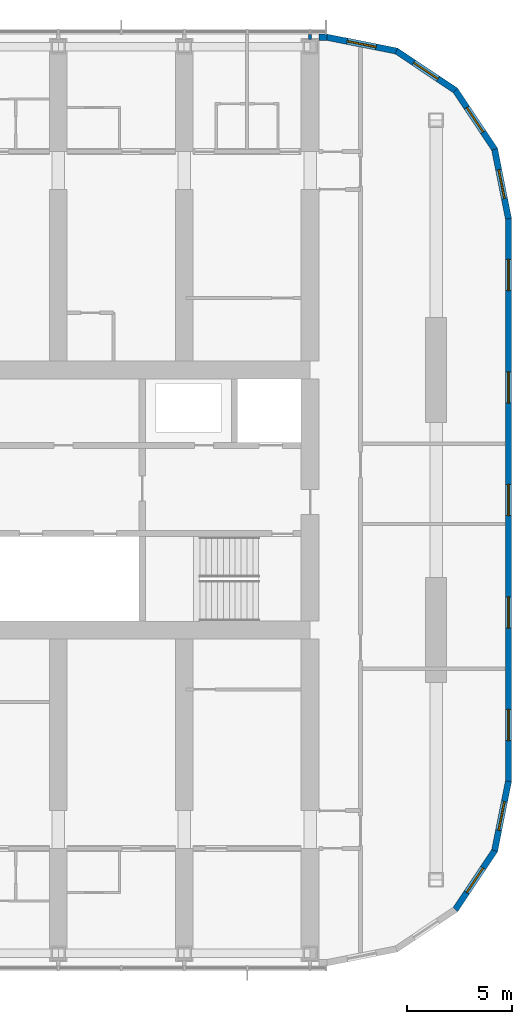
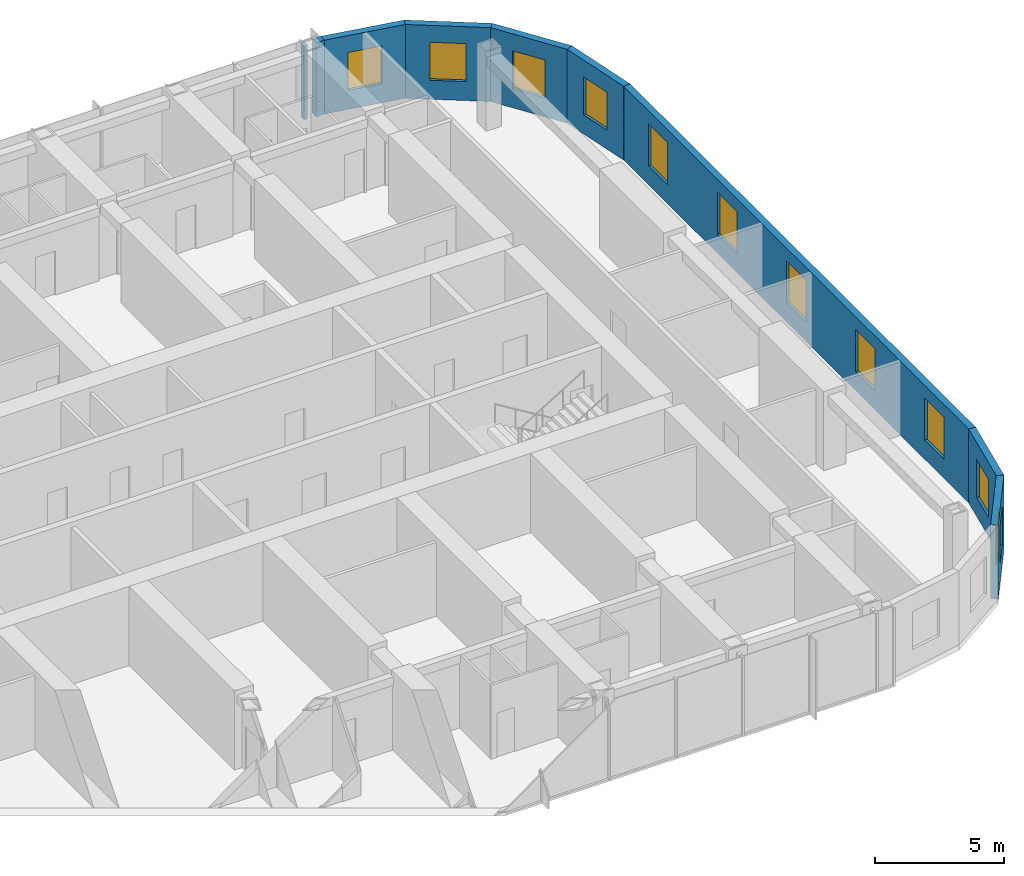
# One storey, part 17 of 22: 11 windows, 9 walls, 11 openings.
"""IFC4 building model written with IfcOpenShell, lengths in metres."""

from ifc_helpers import new_model, si_unit, direction, frame, frame_2d, origin, place, context, subcontext, project, spatial, polyline, rectangle, outline, extrude, material, layer, layer_set, type_object, element, fill, save


model = new_model("IFC4")

# Units and contexts
model_context = context("Model", 3, precision=1e-05, world=origin(), true_north=direction((0.0, 1.0)))
body_context = subcontext(model_context, "Body", "Model", "MODEL_VIEW")
ifc_project = project(units=[si_unit("LENGTHUNIT", "METRE"), si_unit("AREAUNIT", "SQUARE_METRE"), si_unit("VOLUMEUNIT", "CUBIC_METRE"), si_unit("PLANEANGLEUNIT", "RADIAN"), si_unit("MASSUNIT", "GRAM", prefix="KILO")], contexts=[model_context])

# Site, building, storey
site_placement = place(None, origin())
site = spatial("IfcSite", under=ifc_project, at=site_placement, CompositionType="ELEMENT")
building_placement = place(site_placement, origin())
building = spatial("IfcBuilding", under=site, at=building_placement, Name="Orbita Commons", CompositionType="ELEMENT")
storey_placement = place(building_placement, frame((0.0, 0.0, 156.10009765625)))
storey = spatial("IfcBuildingStorey", under=building, at=storey_placement, Name="L38", CompositionType="ELEMENT", Elevation=156.10009765625)

# Wall
ifc_material_1 = material(Name="Gypsum plasterboard on steel studs", Category="steel")
ifc_layer_1 = layer(ifc_material_1, 0.14990234375)
ifc_layer_set_1 = layer_set([ifc_layer_1], Name="Gypsum plasterboard on steel studs")
wall_type_1 = type_object("IfcWallType", Name="Partition 150 plasterboard", PredefinedType="PARTITIONING", material=ifc_layer_set_1)
wall_1_placement = place(storey_placement, frame((66.0, 53.949951171875, 0.0), z_axis=(0.0, 0.0, 1.0), x_axis=(0.0, 1.0, 0.0)))
element("IfcWall", 1, at=wall_1_placement, inside=storey, type_object=wall_type_1, Name="Partition 150 plasterboard L38", PredefinedType="PARTITIONING", context=body_context, shape_type="SweptSolid", body=[
    extrude(rectangle(XDim=0.239990234375, YDim=0.14990234375, at=frame_2d((0.1201171875, 0.0))), origin(), (0.0, 0.0, 1.0), 3.5),
])

# Wall, openings, windows
ifc_material_2 = material(Name="Precast concrete C40/50, white board-marked finish", Category="concrete")
ifc_layer_2 = layer(ifc_material_2, 0.300048828125)
ifc_layer_set_2 = layer_set([ifc_layer_2], Name="Precast concrete C40/50, white board-marked finish")
wall_type_2 = type_object("IfcWallType", Name="Precast concrete end shield 300", PredefinedType="SOLIDWALL", material=ifc_layer_set_2)
wall_2_placement = place(storey_placement, frame((75.449951171875, 18.60009765625, 0.0), z_axis=(0.0, 0.0, 1.0), x_axis=(0.0, 1.0, 0.0)))
wall_2 = element("IfcWall", 2, at=wall_2_placement, inside=storey, type_object=wall_type_2, Name="End shield E L38", PredefinedType="SOLIDWALL", context=body_context, shape_type="SweptSolid", body=[
    extrude(outline(polyline([(-0.014892578125, -0.14990234375), (26.814697265625, -0.14990234375), (26.784912109375, 0.14990234375), (0.014892578125, 0.14990234375), (-0.014892578125, -0.14990234375)])), origin(), (0.0, 0.0, 1.0), 3.5),
])
opening_1_placement = place(wall_2_placement, frame((1.929931640625, 0.0, 0.89990234375)))
opening_1 = element("IfcOpeningElement", 3, at=opening_1_placement, cuts=wall_2, Name="Opening W01", PredefinedType="OPENING", context=body_context, shape_type="SweptSolid", body=[
    extrude(rectangle(XDim=1.5, YDim=2.0, at=frame_2d((0.75, 1.0))), frame((0.0, 0.159912109375, 0.0), z_axis=(0.0, -1.0, 0.0), x_axis=(1.0, 0.0, 0.0)), (0.0, 0.0, 1.0), 0.320068359375),
])
opening_2_placement = place(wall_2_placement, frame((7.2900390625, 0.0, 0.89990234375)))
opening_2 = element("IfcOpeningElement", 4, at=opening_2_placement, cuts=wall_2, Name="Opening W01", PredefinedType="OPENING", context=body_context, shape_type="SweptSolid", body=[
    extrude(rectangle(XDim=1.5, YDim=2.0, at=frame_2d((0.75, 1.0))), frame((0.0, 0.159912109375, 0.0), z_axis=(0.0, -1.0, 0.0), x_axis=(1.0, 0.0, 0.0)), (0.0, 0.0, 1.0), 0.320068359375),
])
opening_3_placement = place(wall_2_placement, frame((12.64990234375, 0.0, 0.89990234375)))
opening_3 = element("IfcOpeningElement", 5, at=opening_3_placement, cuts=wall_2, Name="Opening W01", PredefinedType="OPENING", context=body_context, shape_type="SweptSolid", body=[
    extrude(rectangle(XDim=1.5, YDim=2.0, at=frame_2d((0.75, 1.0))), frame((0.0, 0.159912109375, 0.0), z_axis=(0.0, -1.0, 0.0), x_axis=(1.0, 0.0, 0.0)), (0.0, 0.0, 1.0), 0.320068359375),
])
opening_4_placement = place(wall_2_placement, frame((18.010009765625, 0.0, 0.89990234375)))
opening_4 = element("IfcOpeningElement", 6, at=opening_4_placement, cuts=wall_2, Name="Opening W01", PredefinedType="OPENING", context=body_context, shape_type="SweptSolid", body=[
    extrude(rectangle(XDim=1.5, YDim=2.0, at=frame_2d((0.75, 1.0))), frame((0.0, 0.159912109375, 0.0), z_axis=(0.0, -1.0, 0.0), x_axis=(1.0, 0.0, 0.0)), (0.0, 0.0, 1.0), 0.320068359375),
])
opening_5_placement = place(wall_2_placement, frame((23.3701171875, 0.0, 0.89990234375)))
opening_5 = element("IfcOpeningElement", 7, at=opening_5_placement, cuts=wall_2, Name="Opening W01", PredefinedType="OPENING", context=body_context, shape_type="SweptSolid", body=[
    extrude(rectangle(XDim=1.5, YDim=2.0, at=frame_2d((0.75, 1.0))), frame((0.0, 0.159912109375, 0.0), z_axis=(0.0, -1.0, 0.0), x_axis=(1.0, 0.0, 0.0)), (0.0, 0.0, 1.0), 0.320068359375),
])
ifc_material_3 = material(Name="Aluminium frame, clear double glazing", Category="aluminium")
window_type_1 = type_object("IfcWindowType", Name="Deep-set window 1500x2000", PartitioningType="SINGLE_PANEL", PredefinedType="WINDOW", material=ifc_material_3)
window_1_placement = place(opening_1_placement, origin())
window_1 = element("IfcWindow", 8, at=window_1_placement, inside=storey, type_object=window_type_1, Name="Window L38-E 1", OverallHeight=2.0, OverallWidth=1.5, PartitioningType="SINGLE_PANEL", PredefinedType="WINDOW", context=body_context, shape_type="SweptSolid", body=[
    extrude(rectangle(XDim=1.5, YDim=2.0, at=frame_2d((0.75, 1.0))), frame((0.0, 0.030029296875, 0.0), z_axis=(0.0, -1.0, 0.0), x_axis=(1.0, 0.0, 0.0)), (0.0, 0.0, 1.0), 0.06005859375),
])
fill(opening_1, window_1)
window_2_placement = place(opening_2_placement, origin())
window_2 = element("IfcWindow", 9, at=window_2_placement, inside=storey, type_object=window_type_1, Name="Window L38-E 2", OverallHeight=2.0, OverallWidth=1.5, PartitioningType="SINGLE_PANEL", PredefinedType="WINDOW", context=body_context, shape_type="SweptSolid", body=[
    extrude(rectangle(XDim=1.5, YDim=2.0, at=frame_2d((0.75, 1.0))), frame((0.0, 0.030029296875, 0.0), z_axis=(0.0, -1.0, 0.0), x_axis=(1.0, 0.0, 0.0)), (0.0, 0.0, 1.0), 0.06005859375),
])
fill(opening_2, window_2)
window_3_placement = place(opening_3_placement, origin())
window_3 = element("IfcWindow", 10, at=window_3_placement, inside=storey, type_object=window_type_1, Name="Window L38-E 3", OverallHeight=2.0, OverallWidth=1.5, PartitioningType="SINGLE_PANEL", PredefinedType="WINDOW", context=body_context, shape_type="SweptSolid", body=[
    extrude(rectangle(XDim=1.5, YDim=2.0, at=frame_2d((0.75, 1.0))), frame((0.0, 0.030029296875, 0.0), z_axis=(0.0, -1.0, 0.0), x_axis=(1.0, 0.0, 0.0)), (0.0, 0.0, 1.0), 0.06005859375),
])
fill(opening_3, window_3)
window_4_placement = place(opening_4_placement, origin())
window_4 = element("IfcWindow", 11, at=window_4_placement, inside=storey, type_object=window_type_1, Name="Window L38-E 4", OverallHeight=2.0, OverallWidth=1.5, PartitioningType="SINGLE_PANEL", PredefinedType="WINDOW", context=body_context, shape_type="SweptSolid", body=[
    extrude(rectangle(XDim=1.5, YDim=2.0, at=frame_2d((0.75, 1.0))), frame((0.0, 0.030029296875, 0.0), z_axis=(0.0, -1.0, 0.0), x_axis=(1.0, 0.0, 0.0)), (0.0, 0.0, 1.0), 0.06005859375),
])
fill(opening_4, window_4)
window_5_placement = place(opening_5_placement, origin())
window_5 = element("IfcWindow", 12, at=window_5_placement, inside=storey, type_object=window_type_1, Name="Window L38-E 5", OverallHeight=2.0, OverallWidth=1.5, PartitioningType="SINGLE_PANEL", PredefinedType="WINDOW", context=body_context, shape_type="SweptSolid", body=[
    extrude(rectangle(XDim=1.5, YDim=2.0, at=frame_2d((0.75, 1.0))), frame((0.0, 0.030029296875, 0.0), z_axis=(0.0, -1.0, 0.0), x_axis=(1.0, 0.0, 0.0)), (0.0, 0.0, 1.0), 0.06005859375),
])
fill(opening_5, window_5)

# Wall, opening, window
wall_3_placement = place(storey_placement, frame((72.91650390625, 12.4833984375, 0.0), z_axis=(0.0, 0.0, 1.0), x_axis=(0.555534554399, 0.831493450887, 0.0)))
wall_3 = element("IfcWall", 13, at=wall_3_placement, inside=storey, type_object=wall_type_2, Name="End shield SE chord 3 L38", PredefinedType="SOLIDWALL", context=body_context, shape_type="SweptSolid", body=[
    extrude(outline(polyline([(-0.02978515625, -0.14990234375), (3.405029296875, -0.14990234375), (3.345458984375, 0.14990234375), (0.02978515625, 0.14990234375), (-0.02978515625, -0.14990234375)])), origin(), (0.0, 0.0, 1.0), 3.5),
])
opening_6_placement = place(wall_3_placement, frame((0.987548828125, 0.0, 0.89990234375)))
opening_6 = element("IfcOpeningElement", 14, at=opening_6_placement, cuts=wall_3, Name="Opening W02", PredefinedType="OPENING", context=body_context, shape_type="SweptSolid", body=[
    extrude(rectangle(XDim=1.39990234375, YDim=1.800048828125, at=frame_2d((0.699951171875, 0.89990234375))), frame((0.0, 0.159912109375, 0.0), z_axis=(0.0, -1.0, 0.0), x_axis=(1.0, 0.0, 0.0)), (0.0, 0.0, 1.0), 0.320068359375),
])
ifc_material_4 = material(Name="Aluminium frame, clear double glazing", Category="aluminium")
window_type_2 = type_object("IfcWindowType", Name="Deep-set window 1400x1800", PartitioningType="SINGLE_PANEL", PredefinedType="WINDOW", material=ifc_material_4)
window_6_placement = place(opening_6_placement, origin())
window_6 = element("IfcWindow", 15, at=window_6_placement, inside=storey, type_object=window_type_2, Name="Window L38-SE2", OverallHeight=1.800048828125, OverallWidth=1.39990234375, PartitioningType="SINGLE_PANEL", PredefinedType="WINDOW", context=body_context, shape_type="SweptSolid", body=[
    extrude(rectangle(XDim=1.39990234375, YDim=1.800048828125, at=frame_2d((0.699951171875, 0.89990234375))), frame((0.0, 0.030029296875, 0.0), z_axis=(0.0, -1.0, 0.0), x_axis=(1.0, 0.0, 0.0)), (0.0, 0.0, 1.0), 0.06005859375),
])
fill(opening_6, window_6)

wall_4_placement = place(storey_placement, frame((74.79150390625, 15.289794921875, 0.0), z_axis=(0.0, 0.0, 1.0), x_axis=(0.19508664885, 0.980786011034, 0.0)))
wall_4 = element("IfcWall", 16, at=wall_4_placement, inside=storey, type_object=wall_type_2, Name="End shield SE chord 4 L38", PredefinedType="SOLIDWALL", context=body_context, shape_type="SweptSolid", body=[
    extrude(outline(polyline([(-0.02978515625, -0.14990234375), (3.39013671875, -0.14990234375), (3.3603515625, 0.14990234375), (0.02978515625, 0.14990234375), (-0.02978515625, -0.14990234375)])), origin(), (0.0, 0.0, 1.0), 3.5),
])
opening_7_placement = place(wall_4_placement, frame((0.987548828125, 0.0, 0.89990234375)))
opening_7 = element("IfcOpeningElement", 17, at=opening_7_placement, cuts=wall_4, Name="Opening W02", PredefinedType="OPENING", context=body_context, shape_type="SweptSolid", body=[
    extrude(rectangle(XDim=1.39990234375, YDim=1.800048828125, at=frame_2d((0.699951171875, 0.89990234375))), frame((0.0, 0.159912109375, 0.0), z_axis=(0.0, -1.0, 0.0), x_axis=(1.0, 0.0, 0.0)), (0.0, 0.0, 1.0), 0.320068359375),
])
window_7_placement = place(opening_7_placement, origin())
window_7 = element("IfcWindow", 18, at=window_7_placement, inside=storey, type_object=window_type_2, Name="Window L38-SE3", OverallHeight=1.800048828125, OverallWidth=1.39990234375, PartitioningType="SINGLE_PANEL", PredefinedType="WINDOW", context=body_context, shape_type="SweptSolid", body=[
    extrude(rectangle(XDim=1.39990234375, YDim=1.800048828125, at=frame_2d((0.699951171875, 0.89990234375))), frame((0.0, 0.030029296875, 0.0), z_axis=(0.0, -1.0, 0.0), x_axis=(1.0, 0.0, 0.0)), (0.0, 0.0, 1.0), 0.06005859375),
])
fill(opening_7, window_7)

wall_5_placement = place(storey_placement, frame((75.449951171875, 45.39990234375, 0.0), z_axis=(0.0, 0.0, 1.0), x_axis=(-0.19508664885, 0.980786011034, 0.0)))
wall_5 = element("IfcWall", 19, at=wall_5_placement, inside=storey, type_object=wall_type_2, Name="End shield NE chord 1 L38", PredefinedType="SOLIDWALL", context=body_context, shape_type="SweptSolid", body=[
    extrude(outline(polyline([(-0.014892578125, -0.14990234375), (3.405029296875, -0.14990234375), (3.345458984375, 0.14990234375), (0.014892578125, 0.14990234375), (-0.014892578125, -0.14990234375)])), origin(), (0.0, 0.0, 1.0), 3.5),
])
opening_8_placement = place(wall_5_placement, frame((0.987548828125, 0.0, 0.89990234375)))
opening_8 = element("IfcOpeningElement", 20, at=opening_8_placement, cuts=wall_5, Name="Opening W02", PredefinedType="OPENING", context=body_context, shape_type="SweptSolid", body=[
    extrude(rectangle(XDim=1.39990234375, YDim=1.800048828125, at=frame_2d((0.699951171875, 0.89990234375))), frame((0.0, 0.159912109375, 0.0), z_axis=(0.0, -1.0, 0.0), x_axis=(1.0, 0.0, 0.0)), (0.0, 0.0, 1.0), 0.320068359375),
])
window_8_placement = place(opening_8_placement, origin())
window_8 = element("IfcWindow", 21, at=window_8_placement, inside=storey, type_object=window_type_2, Name="Window L38-NE0", OverallHeight=1.800048828125, OverallWidth=1.39990234375, PartitioningType="SINGLE_PANEL", PredefinedType="WINDOW", context=body_context, shape_type="SweptSolid", body=[
    extrude(rectangle(XDim=1.39990234375, YDim=1.800048828125, at=frame_2d((0.699951171875, 0.89990234375))), frame((0.0, 0.030029296875, 0.0), z_axis=(0.0, -1.0, 0.0), x_axis=(1.0, 0.0, 0.0)), (0.0, 0.0, 1.0), 0.06005859375),
])
fill(opening_8, window_8)

wall_6_placement = place(storey_placement, frame((74.79150390625, 48.710205078125, 0.0), z_axis=(0.0, 0.0, 1.0), x_axis=(-0.555534554399, 0.831493450887, 0.0)))
wall_6 = element("IfcWall", 22, at=wall_6_placement, inside=storey, type_object=wall_type_2, Name="End shield NE chord 2 L38", PredefinedType="SOLIDWALL", context=body_context, shape_type="SweptSolid", body=[
    extrude(outline(polyline([(-0.02978515625, -0.14990234375), (3.405029296875, -0.14990234375), (3.345458984375, 0.14990234375), (0.02978515625, 0.14990234375), (-0.02978515625, -0.14990234375)])), origin(), (0.0, 0.0, 1.0), 3.5),
])
opening_9_placement = place(wall_6_placement, frame((0.987548828125, 0.0, 0.89990234375)))
opening_9 = element("IfcOpeningElement", 23, at=opening_9_placement, cuts=wall_6, Name="Opening W02", PredefinedType="OPENING", context=body_context, shape_type="SweptSolid", body=[
    extrude(rectangle(XDim=1.39990234375, YDim=1.800048828125, at=frame_2d((0.699951171875, 0.89990234375))), frame((0.0, 0.159912109375, 0.0), z_axis=(0.0, -1.0, 0.0), x_axis=(1.0, 0.0, 0.0)), (0.0, 0.0, 1.0), 0.320068359375),
])
window_9_placement = place(opening_9_placement, origin())
window_9 = element("IfcWindow", 24, at=window_9_placement, inside=storey, type_object=window_type_2, Name="Window L38-NE1", OverallHeight=1.800048828125, OverallWidth=1.39990234375, PartitioningType="SINGLE_PANEL", PredefinedType="WINDOW", context=body_context, shape_type="SweptSolid", body=[
    extrude(rectangle(XDim=1.39990234375, YDim=1.800048828125, at=frame_2d((0.699951171875, 0.89990234375))), frame((0.0, 0.030029296875, 0.0), z_axis=(0.0, -1.0, 0.0), x_axis=(1.0, 0.0, 0.0)), (0.0, 0.0, 1.0), 0.06005859375),
])
fill(opening_9, window_9)

wall_7_placement = place(storey_placement, frame((72.91650390625, 51.5166015625, 0.0), z_axis=(0.0, 0.0, 1.0), x_axis=(-0.831493450887, 0.555534554399, 0.0)))
wall_7 = element("IfcWall", 25, at=wall_7_placement, inside=storey, type_object=wall_type_2, Name="End shield NE chord 3 L38", PredefinedType="SOLIDWALL", context=body_context, shape_type="SweptSolid", body=[
    extrude(outline(polyline([(-0.02978515625, -0.14990234375), (3.405029296875, -0.14990234375), (3.345458984375, 0.14990234375), (0.02978515625, 0.14990234375), (-0.02978515625, -0.14990234375)])), origin(), (0.0, 0.0, 1.0), 3.5),
])
opening_10_placement = place(wall_7_placement, frame((0.987548828125, 0.0, 0.89990234375)))
opening_10 = element("IfcOpeningElement", 26, at=opening_10_placement, cuts=wall_7, Name="Opening W02", PredefinedType="OPENING", context=body_context, shape_type="SweptSolid", body=[
    extrude(rectangle(XDim=1.39990234375, YDim=1.800048828125, at=frame_2d((0.699951171875, 0.89990234375))), frame((0.0, 0.159912109375, 0.0), z_axis=(0.0, -1.0, 0.0), x_axis=(1.0, 0.0, 0.0)), (0.0, 0.0, 1.0), 0.320068359375),
])
window_10_placement = place(opening_10_placement, origin())
window_10 = element("IfcWindow", 27, at=window_10_placement, inside=storey, type_object=window_type_2, Name="Window L38-NE2", OverallHeight=1.800048828125, OverallWidth=1.39990234375, PartitioningType="SINGLE_PANEL", PredefinedType="WINDOW", context=body_context, shape_type="SweptSolid", body=[
    extrude(rectangle(XDim=1.39990234375, YDim=1.800048828125, at=frame_2d((0.699951171875, 0.89990234375))), frame((0.0, 0.030029296875, 0.0), z_axis=(0.0, -1.0, 0.0), x_axis=(1.0, 0.0, 0.0)), (0.0, 0.0, 1.0), 0.06005859375),
])
fill(opening_10, window_10)

wall_8_placement = place(storey_placement, frame((70.110107421875, 53.3916015625, 0.0), z_axis=(0.0, 0.0, 1.0), x_axis=(-0.98078325777, 0.195100490205, 0.0)))
wall_8 = element("IfcWall", 28, at=wall_8_placement, inside=storey, type_object=wall_type_2, Name="End shield NE chord 4 L38", PredefinedType="SOLIDWALL", context=body_context, shape_type="SweptSolid", body=[
    extrude(outline(polyline([(-0.02978515625, -0.14990234375), (3.40478515625, -0.14990234375), (3.34521484375, 0.14990234375), (0.02978515625, 0.14990234375), (-0.02978515625, -0.14990234375)])), origin(), (0.0, 0.0, 1.0), 3.5),
])
opening_11_placement = place(wall_8_placement, frame((0.987548828125, 0.0, 0.89990234375)))
opening_11 = element("IfcOpeningElement", 29, at=opening_11_placement, cuts=wall_8, Name="Opening W02", PredefinedType="OPENING", context=body_context, shape_type="SweptSolid", body=[
    extrude(rectangle(XDim=1.39990234375, YDim=1.800048828125, at=frame_2d((0.699951171875, 0.89990234375))), frame((0.0, 0.159912109375, 0.0), z_axis=(0.0, -1.0, 0.0), x_axis=(1.0, 0.0, 0.0)), (0.0, 0.0, 1.0), 0.320068359375),
])
window_11_placement = place(opening_11_placement, origin())
window_11 = element("IfcWindow", 30, at=window_11_placement, inside=storey, type_object=window_type_2, Name="Window L38-NE3", OverallHeight=1.800048828125, OverallWidth=1.39990234375, PartitioningType="SINGLE_PANEL", PredefinedType="WINDOW", context=body_context, shape_type="SweptSolid", body=[
    extrude(rectangle(XDim=1.39990234375, YDim=1.800048828125, at=frame_2d((0.699951171875, 0.89990234375))), frame((0.0, 0.030029296875, 0.0), z_axis=(0.0, -1.0, 0.0), x_axis=(1.0, 0.0, 0.0)), (0.0, 0.0, 1.0), 0.06005859375),
])
fill(opening_11, window_11)

# Wall
wall_9_placement = place(storey_placement, frame((66.800048828125, 54.050048828125, 0.0), z_axis=(0.0, 0.0, 1.0), x_axis=(-1.0, 0.0, 0.0)))
element("IfcWall", 31, at=wall_9_placement, inside=storey, type_object=wall_type_2, Name="End shield NE closer L38", PredefinedType="SOLIDWALL", context=body_context, shape_type="SweptSolid", body=[
    extrude(rectangle(XDim=0.375, YDim=0.300048828125, at=frame_2d((0.1875, 0.0))), origin(), (0.0, 0.0, 1.0), 3.5),
])

save(model, "model.ifc")
